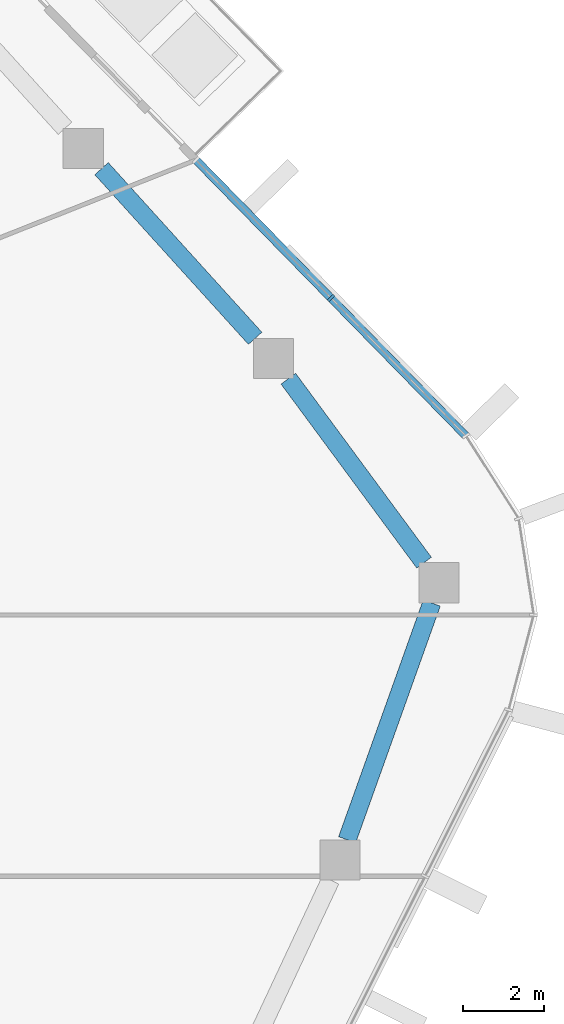
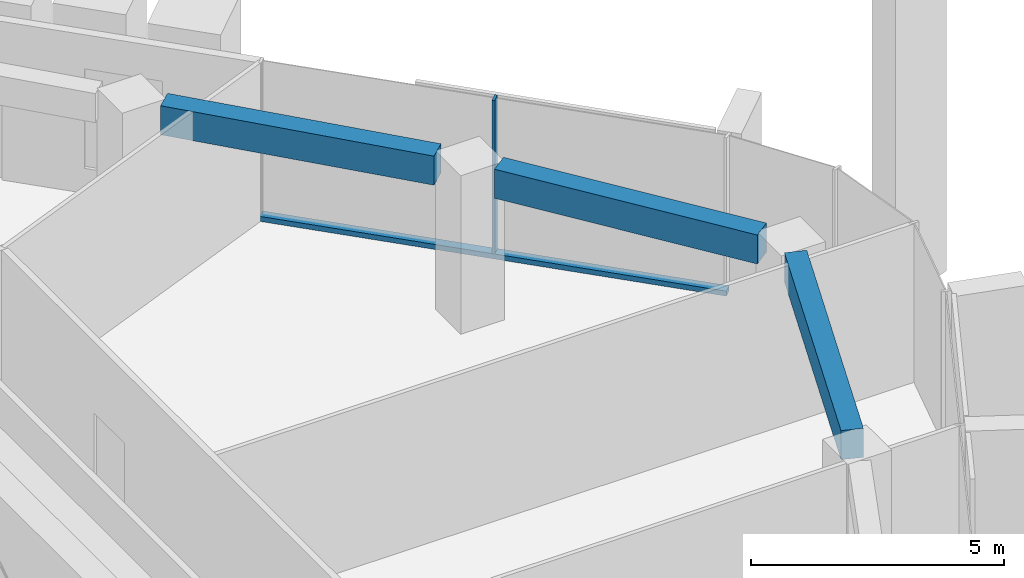
# One storey, part 8 of 24: 3 beams, 2 members, 1 element without a shape of its own.
"""IFC4 building model written with IfcOpenShell, lengths in metres."""

from ifc_helpers import new_model, si_unit, direction, frame, origin, origin_2d, place, context, subcontext, project, spatial, rectangle, extrude, material, layer, layer_set, material_profile, profile_set, type_object, element, aggregate, save


model = new_model("IFC4")

# Units and contexts
model_context = context("Model", 3, precision=1e-05, world=origin(), true_north=direction((0.0, 1.0)))
body_context = subcontext(model_context, "Body", "Model", "MODEL_VIEW")
ifc_project = project(units=[si_unit("LENGTHUNIT", "METRE"), si_unit("AREAUNIT", "SQUARE_METRE"), si_unit("VOLUMEUNIT", "CUBIC_METRE"), si_unit("PLANEANGLEUNIT", "RADIAN"), si_unit("MASSUNIT", "GRAM", prefix="KILO")], contexts=[model_context])

# Site, building, storey
site_placement = place(None, origin())
site = spatial("IfcSite", under=ifc_project, at=site_placement, CompositionType="ELEMENT")
building_placement = place(site_placement, origin())
building = spatial("IfcBuilding", under=site, at=building_placement, Name="Dongbaek Canopy Tower", CompositionType="ELEMENT")
storey_placement = place(building_placement, frame((0.0, 0.0, 306.800048828125)))
storey = spatial("IfcBuildingStorey", under=building, at=storey_placement, Name="L65", CompositionType="ELEMENT", Elevation=306.800048828125)

# Curtain wall, members
ifc_material_1 = material(Name="Aluminium 6063-T6 pale anodised", Category="aluminium")
ifc_layer = layer(ifc_material_1, 0.199951171875)
ifc_layer_set = layer_set([ifc_layer], Name="CW-1 unitised tower curtain wall")
curtain_wall_type = type_object("IfcCurtainWallType", Name="CW-1 unitised tower curtain wall", PredefinedType="NOTDEFINED", material=ifc_layer_set)
curtain_wall_placement = place(storey_placement, origin())
curtain_wall = element("IfcCurtainWall", 1, at=curtain_wall_placement, inside=storey, type_object=curtain_wall_type, Name="CW-1 curtain wall F0.1", PredefinedType="NOTDEFINED")
ifc_material_2 = material(Name="Aluminium 6063-T6 pale anodised", Category="aluminium")
ifc_material_profile_1 = material_profile(ifc_material_2, rectangle(XDim=0.199951171875, YDim=0.06005859375, at=origin_2d()), Name="CW-1 mullion 60 x 200")
ifc_profile_set_1 = profile_set([ifc_material_profile_1], Name="Aluminium 6063-T6 pale anodised")
member_type_1 = type_object("IfcMemberType", Name="CW-1 mullion 60 x 200", PredefinedType="MULLION", material=ifc_profile_set_1)
member_1_placement = place(storey_placement, frame((28.13037109375, 13.75537109375, 0.119873046875), z_axis=(0.0, 0.0, 1.0), x_axis=(0.714780141035, 0.699349233203, 0.0)))
member_1 = element("IfcMember", 2, at=member_1_placement, type_object=member_type_1, Name="CW-1 mullion F0.1.2", PredefinedType="MULLION", context=body_context, shape_type="SweptSolid", body=[
    extrude(rectangle(XDim=0.199951171875, YDim=0.06005859375, at=origin_2d()), origin(), (0.0, 0.0, 1.0), 3.7001953125),
])
ifc_material_3 = material(Name="Aluminium 6063-T6 pale anodised", Category="aluminium")
ifc_material_profile_2 = material_profile(ifc_material_3, rectangle(XDim=0.199951171875, YDim=0.1201171875, at=origin_2d()), Name="CW-1 transom 120 x 200")
ifc_profile_set_2 = profile_set([ifc_material_profile_2], Name="Aluminium 6063-T6 pale anodised")
member_type_2 = type_object("IfcMemberType", Name="CW-1 transom 120 x 200", PredefinedType="USERDEFINED", material=ifc_profile_set_2)
member_2_placement = place(storey_placement, frame((31.470947265625, 10.3408203125, 0.06005859375), z_axis=(-0.699342925573, 0.714786312439, 0.0), x_axis=(-0.714786312439, -0.699342925573, 0.0)))
member_2 = element("IfcMember", 3, at=member_2_placement, type_object=member_type_2, Name="CW-1 transom F0.1.1", ObjectType="TRANSOM", PredefinedType="USERDEFINED", context=body_context, shape_type="SweptSolid", body=[
    extrude(rectangle(XDim=0.199951171875, YDim=0.1201171875, at=origin_2d()), origin(), (0.0, 0.0, 1.0), 9.564208984375),
])
aggregate(curtain_wall, [member_1, member_2])

# Beams
ifc_material_4 = material(Name="Concrete C60", Category="concrete")
ifc_material_profile_3 = material_profile(ifc_material_4, rectangle(XDim=0.449951171875, YDim=0.699951171875, at=origin_2d()), Name="RC EDGE BEAM 450x700 C60")
ifc_profile_set_3 = profile_set([ifc_material_profile_3], Name="Concrete C60")
beam_type = type_object("IfcBeamType", Name="RC EDGE BEAM 450x700 C60", PredefinedType="BEAM", material=ifc_profile_set_3)
beam_1_placement = place(storey_placement, frame((22.442626953125, 16.9619140625, 3.469970703125), z_axis=(0.671227680473, -0.741251240112, 0.0), x_axis=(0.741251240112, 0.671227680473, 0.0)))
element("IfcBeam", 4, at=beam_1_placement, inside=storey, type_object=beam_type, Name="EDGEBEAM:L65:19", PredefinedType="BEAM", context=body_context, shape_type="SweptSolid", body=[
    extrude(rectangle(XDim=0.449951171875, YDim=0.699951171875, at=origin_2d()), origin(), (0.0, 0.0, 1.0), 5.672607421875),
])
beam_2_placement = place(storey_placement, frame((27.072021484375, 11.757080078125, 3.469970703125), z_axis=(0.593735402363, -0.804660345724, 0.0), x_axis=(0.804660345724, 0.593735402363, 0.0)))
element("IfcBeam", 5, at=beam_2_placement, inside=storey, type_object=beam_type, Name="EDGEBEAM:L65:20", PredefinedType="BEAM", context=body_context, shape_type="SweptSolid", body=[
    extrude(rectangle(XDim=0.449951171875, YDim=0.699951171875, at=origin_2d()), origin(), (0.0, 0.0, 1.0), 5.665771484375),
])
beam_3_placement = place(storey_placement, frame((30.626220703125, 6.197998046875, 3.469970703125), z_axis=(-0.336443121865, -0.941703788752, 0.0), x_axis=(0.941703788752, -0.336443121865, 0.0)))
element("IfcBeam", 6, at=beam_3_placement, inside=storey, type_object=beam_type, Name="EDGEBEAM:L65:21", PredefinedType="BEAM", context=body_context, shape_type="SweptSolid", body=[
    extrude(rectangle(XDim=0.449951171875, YDim=0.699951171875, at=origin_2d()), origin(), (0.0, 0.0, 1.0), 6.231201171875),
])

save(model, "model.ifc")
